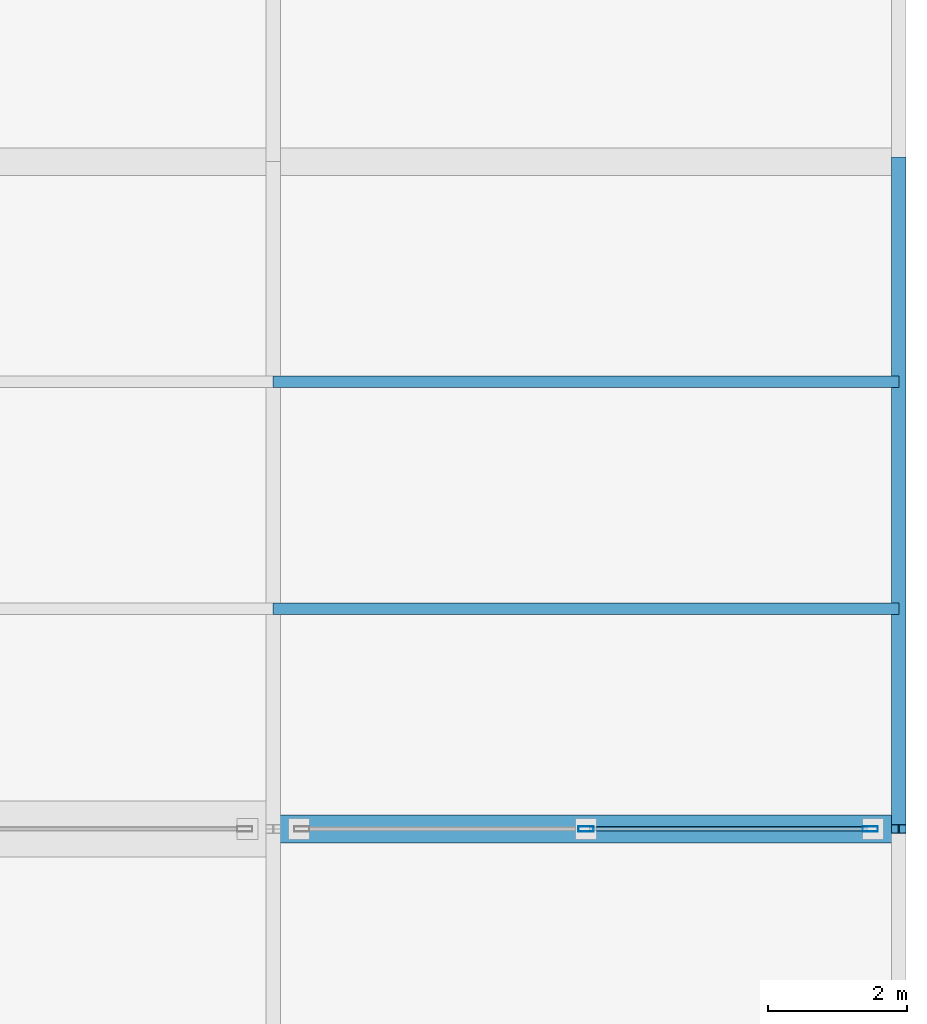
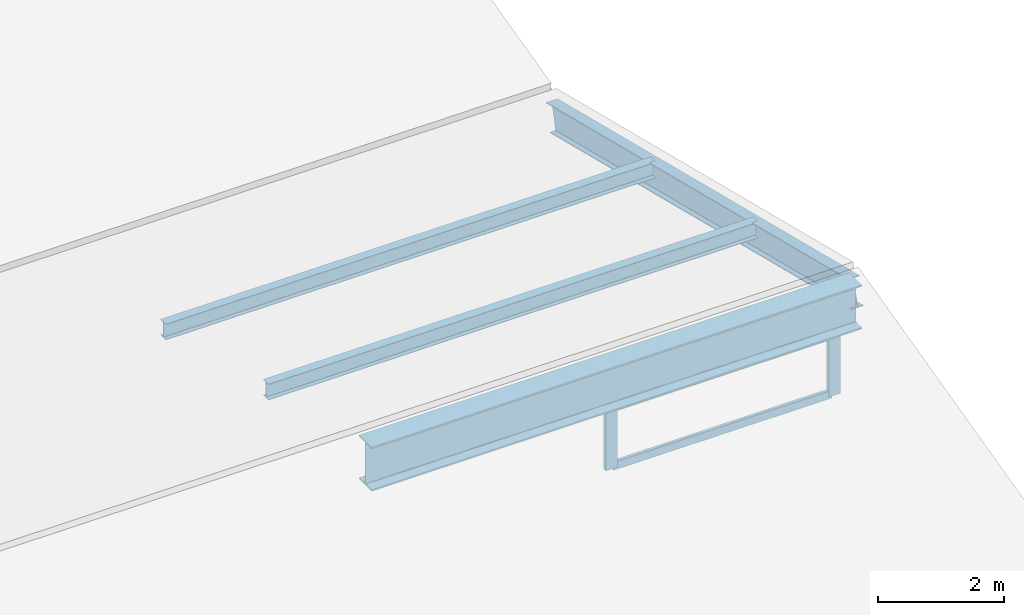
# One storey, part 17 of 36: 7 members, 1 beam, 1 element without a shape of its own.
"""IFC4 building model written with IfcOpenShell, lengths in metres."""

from ifc_helpers import new_model, si_unit, direction, frame, origin, origin_2d, place, context, subcontext, project, spatial, hollow_rectangle, i_section, extrude, material, layer, layer_set, material_profile, profile_set, type_object, element, aggregate, save


model = new_model("IFC4")

# Units and contexts
model_context = context("Model", 3, precision=1e-05, world=origin(), true_north=direction((0.0, 1.0)))
body_context = subcontext(model_context, "Body", "Model", "MODEL_VIEW")
ifc_project = project(units=[si_unit("LENGTHUNIT", "METRE"), si_unit("AREAUNIT", "SQUARE_METRE"), si_unit("VOLUMEUNIT", "CUBIC_METRE"), si_unit("PLANEANGLEUNIT", "RADIAN"), si_unit("MASSUNIT", "GRAM", prefix="KILO")], contexts=[model_context])

# Site, building, storey
site_placement = place(None, origin())
site = spatial("IfcSite", under=ifc_project, at=site_placement, CompositionType="ELEMENT")
building_placement = place(site_placement, origin())
building = spatial("IfcBuilding", under=site, at=building_placement, Name="Qorvath Tower", CompositionType="ELEMENT")
storey_placement = place(building_placement, frame((0.0, 0.0, 27.0)))
storey = spatial("IfcBuildingStorey", under=building, at=storey_placement, Name="L05", CompositionType="ELEMENT", Elevation=27.0)

# Beam
ifc_material_1 = material(Name="Steel ASTM A992 Grade 50", Category="steel")
ifc_material_profile_1 = material_profile(ifc_material_1, i_section(OverallWidth=0.39892578125, OverallDepth=0.85498046875, WebThickness=0.018310546875, FlangeThickness=0.029296875, FilletRadius=0.02001953125, at=origin_2d()), Name="W33x201")
ifc_profile_set_1 = profile_set([ifc_material_profile_1], Name="Steel ASTM A992 Grade 50")
beam_type = type_object("IfcBeamType", Name="BM-FG2", PredefinedType="BEAM", material=ifc_profile_set_1)
beam_placement = place(storey_placement, frame((68.39990234375, 9.60009765625, 1.666015625), z_axis=(1.0, 0.0, 0.0), x_axis=(0.0, 1.0, 0.0)))
element("IfcBeam", 1, at=beam_placement, inside=storey, type_object=beam_type, Name="Library Roof Fold Girder 6-E", PredefinedType="BEAM", context=body_context, shape_type="SweptSolid", body=[
    extrude(i_section(OverallWidth=0.39892578125, OverallDepth=0.85498046875, WebThickness=0.018310546875, FlangeThickness=0.029296875, FilletRadius=0.02001953125, at=origin_2d()), origin(), (0.0, 0.0, 1.0), 9.0),
])

# Curtain wall, members
ifc_material_2 = material(Name="Anodised aluminium and triple low-E glass", Category="aluminium")
ifc_layer = layer(ifc_material_2, 0.179931640625)
ifc_layer_set = layer_set([ifc_layer], Name="CW-SYS-7")
curtain_wall_type = type_object("IfcCurtainWallType", Name="CW-SYS-7", PredefinedType="NOTDEFINED", material=ifc_layer_set)
curtain_wall_placement = place(storey_placement, origin())
curtain_wall = element("IfcCurtainWall", 2, at=curtain_wall_placement, inside=storey, type_object=curtain_wall_type, Name="Curtain Wall CW-7 CW-LIB-SKY-3-5", PredefinedType="NOTDEFINED")
ifc_material_3 = material(Name="Anodised aluminium 6063-T6", Category="aluminium")
ifc_material_profile_2 = material_profile(ifc_material_3, hollow_rectangle(XDim=0.080078125, YDim=0.219970703125, WallThickness=0.00439453125, InnerFilletRadius=0.00439453125, OuterFilletRadius=0.009033203125, at=origin_2d()), Name="CWM LIB 220x80")
ifc_profile_set_2 = profile_set([ifc_material_profile_2], Name="Anodised aluminium 6063-T6")
member_type_1 = type_object("IfcMemberType", Name="CWM-LIB", PredefinedType="MULLION", material=ifc_profile_set_2)
member_1_placement = place(storey_placement, frame((72.89990234375, 9.60009765625, 0.0), z_axis=(0.0, 0.0, 1.0), x_axis=(0.0, 1.0, 0.0)))
member_1 = element("IfcMember", 3, at=member_1_placement, type_object=member_type_1, Name="CW-7 mullion 2", PredefinedType="MULLION", context=body_context, shape_type="SweptSolid", body=[
    extrude(hollow_rectangle(XDim=0.080078125, YDim=0.219970703125, WallThickness=0.00439453125, InnerFilletRadius=0.00439453125, OuterFilletRadius=0.009033203125, at=origin_2d()), origin(), (0.0, 0.0, 1.0), 1.199951171875),
])
member_2_placement = place(storey_placement, frame((76.989990234375, 9.60009765625, 0.0), z_axis=(0.0, 0.0, 1.0), x_axis=(0.0, 1.0, 0.0)))
member_2 = element("IfcMember", 4, at=member_2_placement, type_object=member_type_1, Name="CW-7 mullion 3", PredefinedType="MULLION", context=body_context, shape_type="SweptSolid", body=[
    extrude(hollow_rectangle(XDim=0.080078125, YDim=0.219970703125, WallThickness=0.00439453125, InnerFilletRadius=0.00439453125, OuterFilletRadius=0.009033203125, at=origin_2d()), origin(), (0.0, 0.0, 1.0), 1.199951171875),
])
ifc_material_4 = material(Name="Anodised aluminium 6063-T6", Category="aluminium")
ifc_material_profile_3 = material_profile(ifc_material_4, hollow_rectangle(XDim=0.06494140625, YDim=0.159912109375, WallThickness=0.00341796875, InnerFilletRadius=0.00341796875, OuterFilletRadius=0.007080078125, at=origin_2d()), Name="CWT 160x65")
ifc_profile_set_3 = profile_set([ifc_material_profile_3], Name="Anodised aluminium 6063-T6")
member_type_2 = type_object("IfcMemberType", Name="CWT-160", PredefinedType="USERDEFINED", material=ifc_profile_set_3)
member_3_placement = place(storey_placement, frame((72.93994140625, 9.60009765625, 0.032470703125), z_axis=(1.0, 0.0, 0.0), x_axis=(0.0, 1.0, 0.0)))
member_3 = element("IfcMember", 5, at=member_3_placement, type_object=member_type_2, Name="CW-7 transom 2.1", ObjectType="TRANSOM", PredefinedType="USERDEFINED", context=body_context, shape_type="SweptSolid", body=[
    extrude(hollow_rectangle(XDim=0.06494140625, YDim=0.159912109375, WallThickness=0.00341796875, InnerFilletRadius=0.00341796875, OuterFilletRadius=0.007080078125, at=origin_2d()), origin(), (0.0, 0.0, 1.0), 4.010009765625),
])
member_4_placement = place(storey_placement, frame((72.93994140625, 9.60009765625, 1.16748046875), z_axis=(1.0, 0.0, 0.0), x_axis=(0.0, 1.0, 0.0)))
member_4 = element("IfcMember", 6, at=member_4_placement, type_object=member_type_2, Name="CW-7 transom 2.2", ObjectType="TRANSOM", PredefinedType="USERDEFINED", context=body_context, shape_type="SweptSolid", body=[
    extrude(hollow_rectangle(XDim=0.06494140625, YDim=0.159912109375, WallThickness=0.00341796875, InnerFilletRadius=0.00341796875, OuterFilletRadius=0.007080078125, at=origin_2d()), origin(), (0.0, 0.0, 1.0), 4.010009765625),
])
aggregate(curtain_wall, [member_1, member_2, member_3, member_4])

# Members
ifc_material_5 = material(Name="Steel ASTM A992 Grade 50", Category="steel")
ifc_material_profile_4 = material_profile(ifc_material_5, i_section(OverallWidth=0.1650390625, OverallDepth=0.31005859375, WebThickness=0.005859375, FlangeThickness=0.009765625, FilletRadius=0.010009765625, at=origin_2d()), Name="W12x26")
ifc_profile_set_4 = profile_set([ifc_material_profile_4], Name="Steel ASTM A992 Grade 50")
member_type_3 = type_object("IfcMemberType", Name="MEM-PR1", PredefinedType="PURLIN", material=ifc_profile_set_4)
for number, where, z_axis, x_axis, name in (
    (7, (68.39990234375, 12.76806640625, 1.1708984375), (1.0, 0.0, 0.0), (0.0, 1.0, 0.0), "Library Folded Roof Purlin F6-P1-5"),
    (8, (68.39990234375, 16.031982421875, 0.357177734375), (1.0, 0.0, 0.0), (0.0, 1.0, 0.0), "Library Folded Roof Purlin F6-P2-5"),
):
    element("IfcMember", number, at=place(storey_placement, frame(where, z_axis=z_axis, x_axis=x_axis)), inside=storey, type_object=member_type_3, Name=name, PredefinedType="PURLIN", context=body_context, shape_type="SweptSolid", body=[
        extrude(i_section(OverallWidth=0.1650390625, OverallDepth=0.31005859375, WebThickness=0.005859375, FlangeThickness=0.009765625, FilletRadius=0.010009765625, at=origin_2d()), origin(), (0.0, 0.0, 1.0), 9.0),
    ])
ifc_material_6 = material(Name="Steel ASTM A992 Grade 50", Category="steel")
ifc_material_profile_5 = material_profile(ifc_material_6, i_section(OverallWidth=0.208984375, OverallDepth=0.532958984375, WebThickness=0.01025390625, FlangeThickness=0.015625, FilletRadius=0.013916015625, at=origin_2d()), Name="W21x62")
ifc_profile_set_5 = profile_set([ifc_material_profile_5], Name="Steel ASTM A992 Grade 50")
member_type_4 = type_object("IfcMemberType", Name="MEM-RF1", PredefinedType="RAFTER", material=ifc_profile_set_5)
member_5_placement = place(storey_placement, frame((77.39990234375, 9.60009765625, 1.829345703125), z_axis=(0.0, 0.970294720706, -0.241925928684), x_axis=(-1.0, 0.0, 0.0)))
element("IfcMember", 9, at=member_5_placement, inside=storey, type_object=member_type_4, Name="Library Folded Roof Rafter F6-6", PredefinedType="RAFTER", context=body_context, shape_type="SweptSolid", body=[
    extrude(i_section(OverallWidth=0.208984375, OverallDepth=0.532958984375, WebThickness=0.01025390625, FlangeThickness=0.015625, FilletRadius=0.013916015625, at=origin_2d()), origin(), (0.0, 0.0, 1.0), 9.893798828125),
])

save(model, "model.ifc")
